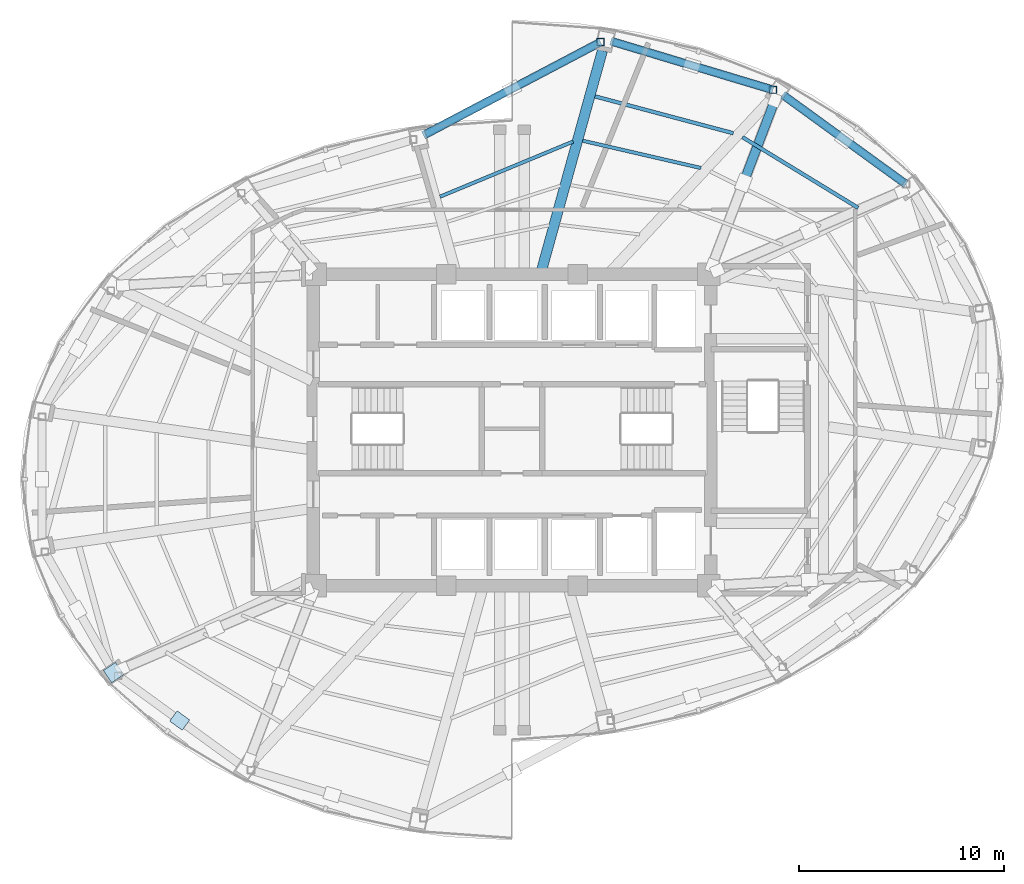
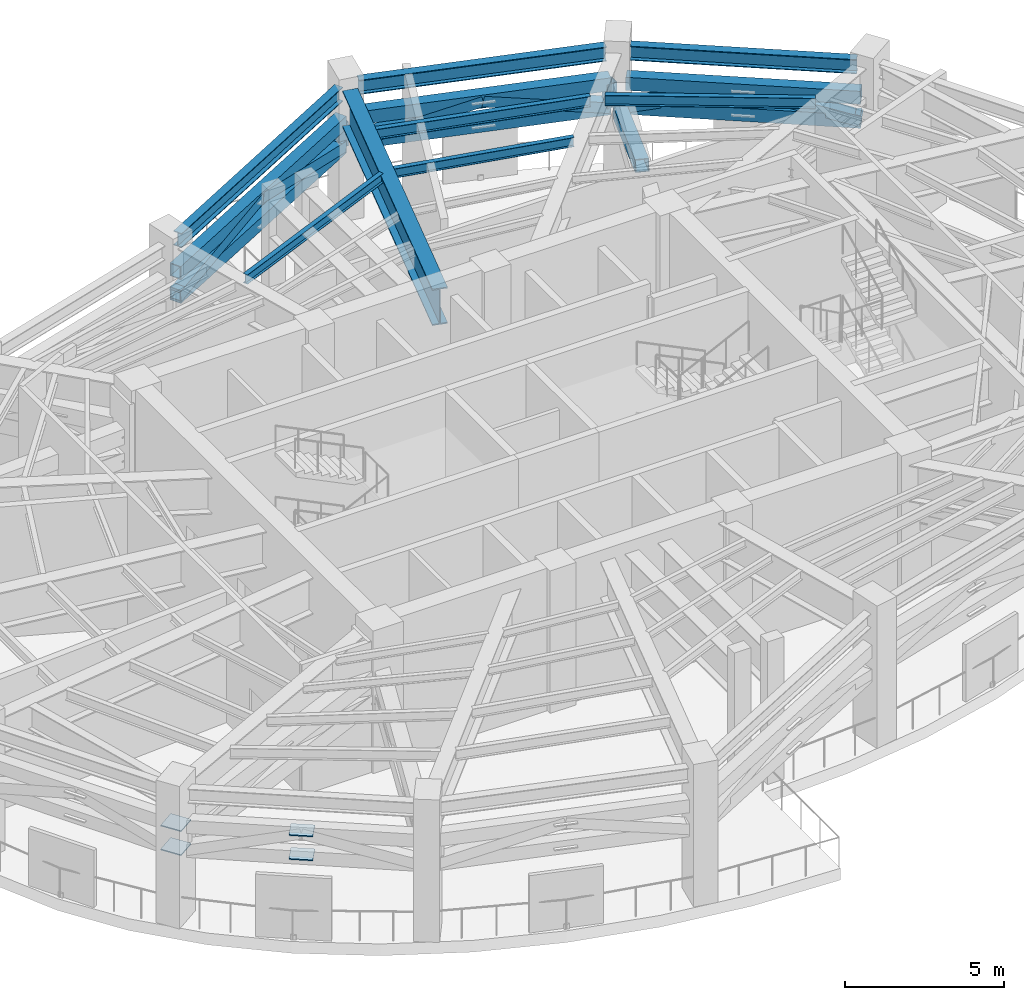
# One storey, part 5 of 12: 15 members, 8 beams, 4 plates.
"""IFC4 building model written with IfcOpenShell, lengths in metres."""

import ifcopenshell
import ifcopenshell.guid

model = None  # the IFC model being written
_history = None  # IfcOwnerHistory: only IFC2X3 demands one
_inside = {}  # id of a spatial element -> (the spatial element, [elements in it])
_under = {}  # id of a project, library or spatial element -> (it, [spatial elements below it])
_declared = {}  # id of a project -> (the project, [libraries it declares])
_typed = {}  # id of a type object -> (the type object, [elements of that type])
_made_of = {}  # id of a material, layer set ... -> (it, [elements and type objects made of it])


def new_model(schema):
    """Start an empty IFC model of exactly this schema.

    Asked for "IFC4X3", IfcOpenShell would pick the latest addendum, in which some entities
    have other attributes; the version numbers below select the first issue.
    IFC2X3 requires an IfcOwnerHistory on every rooted entity: one is made here for all.
    """
    global model, _history
    if schema == "IFC4X3":
        model = ifcopenshell.file(schema_version=(4, 3, 0, 0))
    else:
        model = ifcopenshell.file(schema=schema)
    _inside.clear()
    _under.clear()
    _declared.clear()
    _typed.clear()
    _made_of.clear()
    _history = None
    if model.schema == "IFC2X3":
        org = make("IfcOrganization", Name="unknown")
        user = make(
            "IfcPersonAndOrganization",
            ThePerson=make("IfcPerson", FamilyName="unknown"),
            TheOrganization=org,
        )
        app = make(
            "IfcApplication",
            ApplicationDeveloper=org,
            Version="unknown",
            ApplicationFullName="unknown",
            ApplicationIdentifier="unknown",
        )
        _history = make(
            "IfcOwnerHistory",
            OwningUser=user,
            OwningApplication=app,
            ChangeAction="ADDED",
            CreationDate=0,
        )
    return model


def make(cls, **values):
    """One entity of the class cls with the attributes given. An attribute that is None is left unset."""
    return model.create_entity(
        cls, **{name: value for name, value in values.items() if value is not None}
    )


def rooted(cls, **values):
    """An entity with a GlobalId (a new one), such as an element, a storey or a relation."""
    return make(cls, GlobalId=ifcopenshell.guid.new(), OwnerHistory=_history, **values)


def si_unit(unit_type, name, prefix=None):
    """IfcSIUnit, for example si_unit("LENGTHUNIT", "METRE", prefix="MILLI")."""
    return make("IfcSIUnit", UnitType=unit_type, Prefix=prefix, Name=name)


def assignment(units):
    """IfcUnitAssignment: the units of a project."""
    return None if units is None else make("IfcUnitAssignment", Units=units)


def point(xyz):
    """IfcCartesianPoint."""
    return None if xyz is None else make("IfcCartesianPoint", Coordinates=xyz)


def direction(xyz):
    """IfcDirection."""
    return None if xyz is None else make("IfcDirection", DirectionRatios=xyz)


def frame(location, z_axis=None, x_axis=None):
    """IfcAxis2Placement3D, a coordinate frame: its origin and axes. An axis left out is left unset."""
    return make(
        "IfcAxis2Placement3D",
        Location=point(location),
        Axis=direction(z_axis),
        RefDirection=direction(x_axis),
    )


def frame_2d(location, x_axis=None):
    """IfcAxis2Placement2D, a coordinate frame in the plane: its origin and x axis."""
    return make(
        "IfcAxis2Placement2D", Location=point(location), RefDirection=direction(x_axis)
    )


def origin():
    """The frame at (0, 0, 0) with its axes left unset."""
    return frame((0.0, 0.0, 0.0))


def origin_2d():
    """The frame at (0, 0) in the plane with its x axis left unset."""
    return frame_2d((0.0, 0.0))


def place(relative_to, where):
    """IfcLocalPlacement: puts the frame where relative to a parent placement (None: the world)."""
    return make(
        "IfcLocalPlacement", PlacementRelTo=relative_to, RelativePlacement=where
    )


def context(
    kind, dimensions, precision=None, world=None, true_north=None, identifier=None
):
    """IfcGeometricRepresentationContext, for example the 3D "Model" context."""
    return make(
        "IfcGeometricRepresentationContext",
        ContextIdentifier=identifier,
        ContextType=kind,
        CoordinateSpaceDimension=dimensions,
        Precision=precision,
        WorldCoordinateSystem=world,
        TrueNorth=true_north,
    )


def subcontext(parent, identifier, kind, view, scale=None):
    """IfcGeometricRepresentationSubContext, for example "Body" below "Model"."""
    return make(
        "IfcGeometricRepresentationSubContext",
        ContextIdentifier=identifier,
        ContextType=kind,
        ParentContext=parent,
        TargetScale=scale,
        TargetView=view,
    )


def project(units=None, contexts=None):
    """IfcProject with its units and contexts."""
    return rooted(
        "IfcProject",
        Name="project",
        RepresentationContexts=contexts,
        UnitsInContext=assignment(units),
    )


def spatial(cls, under=None, at=None, **own):
    """A site, building, storey or space (cls), placed at a placement, below another one or the project."""
    s = rooted(cls, ObjectPlacement=at, **own)
    if under is not None:
        _under.setdefault(under.id(), (under, []))[1].append(s)
    return s


def profile(cls, at=None, kind="AREA", **sizes):
    """A parametric profile (cls). Its sizes go by their IFC names, for example OverallWidth=200.0."""
    return make(cls, ProfileType=kind, Position=at, **sizes)


def rectangle(**sizes):
    """IfcRectangleProfileDef."""
    return profile("IfcRectangleProfileDef", **sizes)


def hollow_rectangle(**sizes):
    """IfcRectangleHollowProfileDef."""
    return profile("IfcRectangleHollowProfileDef", **sizes)


def i_section(**sizes):
    """IfcIShapeProfileDef."""
    return profile("IfcIShapeProfileDef", **sizes)


def extrude(swept, where, along, depth):
    """IfcExtrudedAreaSolid: the profile swept, set in the frame where, extruded along a direction by depth."""
    return make(
        "IfcExtrudedAreaSolid",
        SweptArea=swept,
        Position=where,
        ExtrudedDirection=direction(along),
        Depth=depth,
    )


def shape(context_of_items, identifier, shape_type, items):
    """IfcShapeRepresentation: the items that make up one representation, for example the "Body"."""
    return make(
        "IfcShapeRepresentation",
        ContextOfItems=context_of_items,
        RepresentationIdentifier=identifier,
        RepresentationType=shape_type,
        Items=items,
    )


def material(Name=None, Category=None):
    """IfcMaterial."""
    return make("IfcMaterial", Name=Name, Category=Category)


def layer(
    of_material, thickness, ventilated=None, Name=None, Category=None, Priority=None
):
    """IfcMaterialLayer: one layer of a wall or slab, of a material (None: an air gap)."""
    return make(
        "IfcMaterialLayer",
        Material=of_material,
        LayerThickness=thickness,
        IsVentilated=ventilated,
        Name=Name,
        Category=Category,
        Priority=Priority,
    )


def layer_set(layers, Name=None):
    """IfcMaterialLayerSet."""
    return make("IfcMaterialLayerSet", MaterialLayers=layers, LayerSetName=Name)


def material_profile(
    of_material, cross_section, Name=None, Category=None, Priority=None
):
    """IfcMaterialProfile: a cross section and its material."""
    return make(
        "IfcMaterialProfile",
        Name=Name,
        Material=of_material,
        Profile=cross_section,
        Priority=Priority,
        Category=Category,
    )


def profile_set(profiles, Name=None, composite=None):
    """IfcMaterialProfileSet."""
    return make(
        "IfcMaterialProfileSet",
        Name=Name,
        MaterialProfiles=profiles,
        CompositeProfile=composite,
    )


def made_of(thing, what):
    """Note that an element or type object is made of a material, layer set ...; save() writes the relation."""
    if what is not None:
        _made_of.setdefault(what.id(), (what, []))[1].append(thing)
    return thing


def type_object(cls, material=None, **own):
    """A type object (cls), such as IfcWallType, which elements share."""
    return made_of(rooted(cls, **own), material)


def element(
    cls,
    number,
    at=None,
    inside=None,
    cuts=None,
    type_object=None,
    material=None,
    context=None,
    identifier="Body",
    shape_type=None,
    held_by="IfcProductDefinitionShape",
    body=None,
    shapes=None,
    **own,
):
    """One element of the class cls, such as IfcWall. Its Tag is "e" and its number.

    at: its placement. inside: the storey or other place that contains it. cuts: it is an
    opening in that element (IfcRelVoidsElement). A single representation is given by context,
    identifier, shape_type and body (its items); several are given by shapes. held_by: the class
    of the entity that holds the representations. save() writes the other relations.
    """
    e = rooted(cls, Tag="e%d" % number, ObjectPlacement=at, **own)
    if body is not None:
        shapes = [shape(context, identifier, shape_type, body)]
    if shapes is not None:
        e.Representation = make(held_by, Representations=shapes)
    if inside is not None:
        _inside.setdefault(inside.id(), (inside, []))[1].append(e)
    if cuts is not None:
        rooted(
            "IfcRelVoidsElement", RelatingBuildingElement=cuts, RelatedOpeningElement=e
        )
    if type_object is not None:
        _typed.setdefault(type_object.id(), (type_object, []))[1].append(e)
    return made_of(e, material)


def aggregate(whole, parts):
    """IfcRelAggregates: a whole, such as a stair, and the parts it consists of."""
    return rooted("IfcRelAggregates", RelatingObject=whole, RelatedObjects=parts)


def save(model, path):
    """Write the relations noted so far, then the file.

    IfcRelAggregates (storeys below a building ...), IfcRelContainedInSpatialStructure (elements
    in a storey), IfcRelDefinesByType, IfcRelAssociatesMaterial and IfcRelDeclares: one each for
    every whole, place, type object, material and project.
    """
    for whole, parts in _under.values():
        aggregate(whole, parts)
    for where, things in _inside.values():
        rooted(
            "IfcRelContainedInSpatialStructure",
            RelatedElements=things,
            RelatingStructure=where,
        )
    for kind, things in _typed.values():
        rooted("IfcRelDefinesByType", RelatedObjects=things, RelatingType=kind)
    for what, things in _made_of.values():
        rooted("IfcRelAssociatesMaterial", RelatedObjects=things, RelatingMaterial=what)
    for by, libraries in _declared.values():
        rooted("IfcRelDeclares", RelatingContext=by, RelatedDefinitions=libraries)
    model.write(path)


model = new_model("IFC4")

# Units and contexts
model_context = context("Model", 3, precision=1e-05, world=origin(), true_north=direction((0.0, 1.0)))
body_context = subcontext(model_context, "Body", "Model", "MODEL_VIEW")
ifc_project = project(units=[si_unit("LENGTHUNIT", "METRE"), si_unit("AREAUNIT", "SQUARE_METRE"), si_unit("VOLUMEUNIT", "CUBIC_METRE"), si_unit("PLANEANGLEUNIT", "RADIAN"), si_unit("MASSUNIT", "GRAM", prefix="KILO")], contexts=[model_context])

# Site, building, storey
site_placement = place(None, origin())
site = spatial("IfcSite", under=ifc_project, at=site_placement, CompositionType="ELEMENT")
building_placement = place(site_placement, origin())
building = spatial("IfcBuilding", under=site, at=building_placement, Name="Lazwardi Medical Tower", CompositionType="ELEMENT")
storey_placement = place(building_placement, frame((0.0, 0.0, 189.360107421875)))
storey = spatial("IfcBuildingStorey", under=building, at=storey_placement, Name="L49", CompositionType="ELEMENT", Elevation=189.360107421875)

# Beams
ifc_material_1 = material(Name="Steel S355", Category="steel")
ifc_material_profile_1 = material_profile(ifc_material_1, i_section(OverallWidth=0.300048828125, OverallDepth=0.550048828125, WebThickness=0.014892578125, FlangeThickness=0.029052734375, at=origin_2d()), Name="HEB 550")
ifc_profile_set_1 = profile_set([ifc_material_profile_1], Name="Steel S355")
beam_type_1 = type_object("IfcBeamType", Name="BM-RB-Z3", PredefinedType="BEAM", material=ifc_profile_set_1)
beam_1_placement = place(storey_placement, frame((55.11181640625, 40.06591796875, 4.746826171875), z_axis=(-0.809127570774, 0.587633026824, 0.0), x_axis=(-0.587633026824, -0.809127570774, 0.0)))
element("IfcBeam", 1, at=beam_1_placement, inside=storey, type_object=beam_type_1, Name="Ring beam RB-04 B06 L49", PredefinedType="BEAM", context=body_context, shape_type="SweptSolid", body=[
    extrude(i_section(OverallWidth=0.300048828125, OverallDepth=0.550048828125, WebThickness=0.014892578125, FlangeThickness=0.029052734375, at=origin_2d()), origin(), (0.0, 0.0, 1.0), 7.170166015625),
])
beam_2_placement = place(storey_placement, frame((48.603515625, 44.62939453125, 4.746826171875), z_axis=(-0.957616873483, 0.288045002771, 0.0), x_axis=(-0.288045002771, -0.957616873483, 0.0)))
element("IfcBeam", 2, at=beam_2_placement, inside=storey, type_object=beam_type_1, Name="Ring beam RB-04 B07 L49", PredefinedType="BEAM", context=body_context, shape_type="SweptSolid", body=[
    extrude(i_section(OverallWidth=0.300048828125, OverallDepth=0.550048828125, WebThickness=0.014892578125, FlangeThickness=0.029052734375, at=origin_2d()), origin(), (0.0, 0.0, 1.0), 7.99951171875),
])
beam_3_placement = place(storey_placement, frame((40.206298828125, 46.862548828125, 4.746826171875), z_axis=(-0.884926578414, -0.465730556026, 0.0), x_axis=(0.465730556026, -0.884926578414, 0.0)))
element("IfcBeam", 3, at=beam_3_placement, inside=storey, type_object=beam_type_1, Name="Ring beam RB-04 B08 L49", PredefinedType="BEAM", context=body_context, shape_type="SweptSolid", body=[
    extrude(i_section(OverallWidth=0.300048828125, OverallDepth=0.550048828125, WebThickness=0.014892578125, FlangeThickness=0.029052734375, at=origin_2d()), origin(), (0.0, 0.0, 1.0), 9.506591796875),
])
ifc_material_profile_2 = material_profile(ifc_material_1, i_section(OverallWidth=0.179931640625, OverallDepth=0.39990234375, WebThickness=0.008544921875, FlangeThickness=0.013427734375, at=origin_2d()), Name="IPE 400")
ifc_profile_set_2 = profile_set([ifc_material_profile_2], Name="Steel S355")
beam_type_2 = type_object("IfcBeamType", Name="BM-SJ-01", PredefinedType="JOIST", material=ifc_profile_set_2)
beam_4_placement = place(storey_placement, frame((52.885498046875, 38.835205078125, 4.82177734375), z_axis=(-0.853204282471, 0.521576890184, 0.0), x_axis=(-0.521576890184, -0.853204282471, 0.0)))
element("IfcBeam", 4, at=beam_4_placement, inside=storey, type_object=beam_type_2, Name="Secondary joist SJ-01 R1 B06 L49", PredefinedType="JOIST", context=body_context, shape_type="SweptSolid", body=[
    extrude(i_section(OverallWidth=0.179931640625, OverallDepth=0.39990234375, WebThickness=0.008544921875, FlangeThickness=0.013427734375, at=origin_2d()), origin(), (0.0, 0.0, 1.0), 6.615478515625),
])
beam_5_placement = place(storey_placement, frame((46.79541015625, 42.476318359375, 4.82177734375), z_axis=(-0.966302206326, 0.257410267956, 0.0), x_axis=(-0.257410267956, -0.966302206326, 0.0)))
element("IfcBeam", 5, at=beam_5_placement, inside=storey, type_object=beam_type_2, Name="Secondary joist SJ-01 R1 B07 L49", PredefinedType="JOIST", context=body_context, shape_type="SweptSolid", body=[
    extrude(i_section(OverallWidth=0.179931640625, OverallDepth=0.39990234375, WebThickness=0.008544921875, FlangeThickness=0.013427734375, at=origin_2d()), origin(), (0.0, 0.0, 1.0), 6.984375),
])
ifc_material_profile_3 = material_profile(ifc_material_1, i_section(OverallWidth=0.169921875, OverallDepth=0.360107421875, WebThickness=0.008056640625, FlangeThickness=0.0126953125, at=origin_2d()), Name="IPE 360")
ifc_profile_set_3 = profile_set([ifc_material_profile_3], Name="Steel S355")
beam_type_3 = type_object("IfcBeamType", Name="BM-SJ-02", PredefinedType="JOIST", material=ifc_profile_set_3)
beam_6_placement = place(storey_placement, frame((45.220458984375, 40.777587890625, 4.841796875), z_axis=(-0.974375221178, 0.224928718387, 0.0), x_axis=(-0.224928718387, -0.974375221178, 0.0)))
element("IfcBeam", 6, at=beam_6_placement, inside=storey, type_object=beam_type_3, Name="Secondary joist SJ-02 R2 B07 L49", PredefinedType="JOIST", context=body_context, shape_type="SweptSolid", body=[
    extrude(i_section(OverallWidth=0.169921875, OverallDepth=0.360107421875, WebThickness=0.008056640625, FlangeThickness=0.0126953125, at=origin_2d()), origin(), (0.0, 0.0, 1.0), 5.92529296875),
])
beam_7_placement = place(storey_placement, frame((38.98193359375, 42.071533203125, 4.841796875), z_axis=(-0.923795439978, -0.382886386643, 0.0), x_axis=(0.382886386643, -0.923795439978, 0.0)))
element("IfcBeam", 7, at=beam_7_placement, inside=storey, type_object=beam_type_3, Name="Secondary joist SJ-02 R2 B08 L49", PredefinedType="JOIST", context=body_context, shape_type="SweptSolid", body=[
    extrude(i_section(OverallWidth=0.169921875, OverallDepth=0.360107421875, WebThickness=0.008056640625, FlangeThickness=0.0126953125, at=origin_2d()), origin(), (0.0, 0.0, 1.0), 7.03125),
])
ifc_material_2 = material(Name="Steel S460", Category="steel")
ifc_material_profile_4 = material_profile(ifc_material_2, i_section(OverallWidth=0.5, OverallDepth=1.39990234375, WebThickness=0.028076171875, FlangeThickness=0.044921875, at=origin_2d()), Name="PG 1400x500")
ifc_profile_set_4 = profile_set([ifc_material_profile_4], Name="Steel S460")
beam_type_4 = type_object("IfcBeamType", Name="BM-TG-01", PredefinedType="BEAM", material=ifc_profile_set_4)
beam_8_placement = place(storey_placement, frame((40.410888671875, 46.509033203125, 4.32177734375), z_axis=(-0.266813446402, -0.963748195754, 0.0), x_axis=(0.963748195754, -0.266813446402, 0.0)))
element("IfcBeam", 8, at=beam_8_placement, inside=storey, type_object=beam_type_4, Name="Transfer girder TG-01 M08 L49", PredefinedType="BEAM", context=body_context, shape_type="SweptSolid", body=[
    extrude(i_section(OverallWidth=0.5, OverallDepth=1.39990234375, WebThickness=0.028076171875, FlangeThickness=0.044921875, at=origin_2d()), origin(), (0.0, 0.0, 1.0), 11.267578125),
])

# Members
ifc_material_profile_5 = material_profile(ifc_material_2, hollow_rectangle(XDim=0.39990234375, YDim=0.5, WallThickness=0.02490234375, at=origin_2d()), Name="RHS 500x400x25")
ifc_profile_set_5 = profile_set([ifc_material_profile_5], Name="Steel S460")
member_type_1 = type_object("IfcMemberType", Name="MEM-BC-01", PredefinedType="CHORD", material=ifc_profile_set_5)
for number, where, z_axis, x_axis, name in (
    (9, (55.217041015625, 39.989501953125, 2.679931640625), (-0.80914369212, 0.587610828272, 0.0), (-0.587610828272, -0.80914369212, 0.0), "Belt truss bottom chord BC-01 B06 L49"),
    (10, (55.217041015625, 39.989501953125, 3.599853515625), (-0.80914369212, 0.587610828272, 0.0), (-0.587610828272, -0.80914369212, 0.0), "Belt truss top chord BC-01 B06 L49"),
):
    element("IfcMember", number, at=place(storey_placement, frame(where, z_axis=z_axis, x_axis=x_axis)), inside=storey, type_object=member_type_1, Name=name, PredefinedType="CHORD", context=body_context, shape_type="SweptSolid", body=[
        extrude(hollow_rectangle(XDim=0.39990234375, YDim=0.5, WallThickness=0.02490234375, at=origin_2d()), origin(), (0.0, 0.0, 1.0), 7.429931640625),
    ])
for number, where, z_axis, x_axis, name in (
    (11, (48.727783203125, 44.592041015625, 2.679931640625), (-0.957618568335, 0.288039368108, 0.0), (-0.288039368108, -0.957618568335, 0.0), "Belt truss bottom chord BC-01 B07 L49"),
    (12, (48.727783203125, 44.592041015625, 3.599853515625), (-0.957618568335, 0.288039368108, 0.0), (-0.288039368108, -0.957618568335, 0.0), "Belt truss top chord BC-01 B07 L49"),
):
    element("IfcMember", number, at=place(storey_placement, frame(where, z_axis=z_axis, x_axis=x_axis)), inside=storey, type_object=member_type_1, Name=name, PredefinedType="CHORD", context=body_context, shape_type="SweptSolid", body=[
        extrude(hollow_rectangle(XDim=0.39990234375, YDim=0.5, WallThickness=0.02490234375, at=origin_2d()), origin(), (0.0, 0.0, 1.0), 8.259033203125),
    ])
for number, where, z_axis, x_axis, name in (
    (13, (40.3212890625, 46.923095703125, 2.679931640625), (-0.884924187091, -0.465735099709, 0.0), (0.465735099709, -0.884924187091, 0.0), "Belt truss bottom chord BC-01 B08 L49"),
    (14, (40.3212890625, 46.923095703125, 3.599853515625), (-0.884924187091, -0.465735099709, 0.0), (0.465735099709, -0.884924187091, 0.0), "Belt truss top chord BC-01 B08 L49"),
):
    element("IfcMember", number, at=place(storey_placement, frame(where, z_axis=z_axis, x_axis=x_axis)), inside=storey, type_object=member_type_1, Name=name, PredefinedType="CHORD", context=body_context, shape_type="SweptSolid", body=[
        extrude(hollow_rectangle(XDim=0.39990234375, YDim=0.5, WallThickness=0.02490234375, at=origin_2d()), origin(), (0.0, 0.0, 1.0), 9.766357421875),
    ])
ifc_material_profile_6 = material_profile(ifc_material_2, hollow_rectangle(XDim=0.39990234375, YDim=0.39990234375, WallThickness=0.02001953125, at=origin_2d()), Name="RHS 400x400x20")
ifc_profile_set_6 = profile_set([ifc_material_profile_6], Name="Steel S460")
member_type_2 = type_object("IfcMemberType", Name="MEM-BD-01", PredefinedType="BRACE", material=ifc_profile_set_6)
for number, where, z_axis, x_axis, name in (
    (15, (55.217041015625, 39.989501953125, 2.679931640625), (-0.785395561242, 0.570419680688, 0.240364723421), (-0.587647963925, -0.809116722417, 0.0), "Belt truss diagonal BD-01 B06A L49"),
    (16, (49.205078125, 44.35546875, 2.679931640625), (0.785448577902, -0.570348065867, 0.24036142626), (0.587573691921, 0.809170659727, 0.0), "Belt truss diagonal BD-01 B06B L49"),
):
    element("IfcMember", number, at=place(storey_placement, frame(where, z_axis=z_axis, x_axis=x_axis)), inside=storey, type_object=member_type_2, Name=name, PredefinedType="BRACE", context=body_context, shape_type="SweptSolid", body=[
        extrude(hollow_rectangle(XDim=0.39990234375, YDim=0.39990234375, WallThickness=0.02001953125, at=origin_2d()), origin(), (0.0, 0.0, 1.0), 3.8271484375),
    ])
for number, where, z_axis, x_axis, name in (
    (17, (48.727783203125, 44.592041015625, 2.679931640625), (-0.934702782981, 0.281155273117, 0.217445211229), (-0.288047522108, -0.957616115679, 0.0), "Belt truss diagonal BD-01 B07A L49"),
    (18, (40.81884765625, 46.970947265625, 2.679931640625), (0.934710072733, -0.281140108307, 0.217433482779), (0.288031214548, 0.957621020783, 0.0), "Belt truss diagonal BD-01 B07B L49"),
):
    element("IfcMember", number, at=place(storey_placement, frame(where, z_axis=z_axis, x_axis=x_axis)), inside=storey, type_object=member_type_2, Name=name, PredefinedType="BRACE", context=body_context, shape_type="SweptSolid", body=[
        extrude(hollow_rectangle(XDim=0.39990234375, YDim=0.39990234375, WallThickness=0.02001953125, at=origin_2d()), origin(), (0.0, 0.0, 1.0), 4.230712890625),
    ])
member_1_placement = place(storey_placement, frame((40.3212890625, 46.923095703125, 2.679931640625), z_axis=(-0.869618052898, -0.457704055412, 0.185125470244), x_axis=(0.46575467496, -0.884913884371, 0.0)))
element("IfcMember", 19, at=member_1_placement, inside=storey, type_object=member_type_2, Name="Belt truss diagonal BD-01 B08A L49", PredefinedType="BRACE", context=body_context, shape_type="SweptSolid", body=[
    extrude(hollow_rectangle(XDim=0.39990234375, YDim=0.39990234375, WallThickness=0.02001953125, at=origin_2d()), origin(), (0.0, 0.0, 1.0), 4.96923828125),
])
member_2_placement = place(storey_placement, frame((31.6787109375, 42.37451171875, 2.679931640625), z_axis=(0.869637607993, 0.457665215732, 0.185129633159), x_axis=(-0.465715523774, 0.884934489618, 0.0)))
element("IfcMember", 20, at=member_2_placement, inside=storey, type_object=member_type_2, Name="Belt truss diagonal BD-01 B08B L49", PredefinedType="BRACE", context=body_context, shape_type="SweptSolid", body=[
    extrude(hollow_rectangle(XDim=0.39990234375, YDim=0.39990234375, WallThickness=0.02001953125, at=origin_2d()), origin(), (0.0, 0.0, 1.0), 4.968994140625),
])
ifc_material_profile_7 = material_profile(ifc_material_1, hollow_rectangle(XDim=0.35009765625, YDim=0.35009765625, WallThickness=0.01611328125, at=origin_2d()), Name="RHS 350x350x16")
ifc_profile_set_7 = profile_set([ifc_material_profile_7], Name="Steel S355")
member_type_3 = type_object("IfcMemberType", Name="MEM-BV-01", PredefinedType="POST", material=ifc_profile_set_7)
for number, where, z_axis, x_axis, name in (
    (21, (48.727783203125, 44.592041015625, 2.679931640625), (0.0, 0.0, 1.0), (1.0, 0.0, 0.0), "Belt truss post BV-01 B07 L49"),
    (22, (40.3212890625, 46.923095703125, 2.679931640625), (0.0, 0.0, 1.0), (1.0, 0.0, 0.0), "Belt truss post BV-01 B08 L49"),
):
    element("IfcMember", number, at=place(storey_placement, frame(where, z_axis=z_axis, x_axis=x_axis)), inside=storey, type_object=member_type_3, Name=name, PredefinedType="POST", context=body_context, shape_type="SweptSolid", body=[
        extrude(hollow_rectangle(XDim=0.35009765625, YDim=0.35009765625, WallThickness=0.01611328125, at=origin_2d()), origin(), (0.0, 0.0, 1.0), 0.919921875),
    ])
ifc_material_profile_8 = material_profile(ifc_material_2, hollow_rectangle(XDim=0.449951171875, YDim=0.449951171875, WallThickness=0.02197265625, at=origin_2d()), Name="RHS 450x450x22")
ifc_profile_set_8 = profile_set([ifc_material_profile_8], Name="Steel S460")
member_type_4 = type_object("IfcMemberType", Name="MEM-OD-01", PredefinedType="BRACE", material=ifc_profile_set_8)
member_3_placement = place(storey_placement, frame((48.824951171875, 44.0888671875, 2.679931640625), z_axis=(-0.347358180393, -0.914263550942, 0.208481303555), x_axis=(0.934804618159, -0.355162393658, 0.0)))
element("IfcMember", 23, at=member_3_placement, inside=storey, type_object=member_type_4, Name="Outrigger truss diagonal OD-01 OR6B L49", PredefinedType="BRACE", context=body_context, shape_type="SweptSolid", body=[
    extrude(hollow_rectangle(XDim=0.449951171875, YDim=0.449951171875, WallThickness=0.02197265625, at=origin_2d()), origin(), (0.0, 0.0, 1.0), 4.41259765625),
])

# Plates
ifc_layer = layer(ifc_material_2, 0.0400390625)
ifc_layer_set = layer_set([ifc_layer], Name="Steel S460")
plate_type = type_object("IfcPlateType", Name="PLT-GUS-01", PredefinedType="USERDEFINED", material=ifc_layer_set)
for number, where, z_axis, x_axis, name in (
    (24, (16.564453125, 16.169189453125, 2.659912109375), (0.0, 0.0, 1.0), (-0.831469612303, -0.55557023302, 0.0), "Belt truss column gusset plate GP-01 MB14 L49"),
    (25, (16.564453125, 16.169189453125, 3.579833984375), (0.0, 0.0, 1.0), (-0.831469612303, -0.55557023302, 0.0), "Belt truss column gusset plate GP-01 MT14 L49"),
):
    element("IfcPlate", number, at=place(storey_placement, frame(where, z_axis=z_axis, x_axis=x_axis)), inside=storey, type_object=plate_type, Name=name, ObjectType="GUSSET_PLATE", PredefinedType="USERDEFINED", context=body_context, shape_type="SweptSolid", body=[
        extrude(rectangle(XDim=0.719970703125, YDim=0.719970703125, at=origin_2d()), origin(), (0.0, 0.0, 1.0), 0.0400390625),
    ])
for number, where, z_axis, x_axis, name in (
    (26, (19.788818359375, 13.827392578125, 3.579833984375), (0.0, 0.0, 1.0), (0.809119569932, -0.587644043238, 0.0), "Belt truss gusset plate GP-01 T14 L49"),
    (27, (19.788818359375, 13.827392578125, 2.659912109375), (0.0, 0.0, 1.0), (0.809119569932, -0.587644043238, 0.0), "Belt truss gusset plate GP-01 B14 L49"),
):
    element("IfcPlate", number, at=place(storey_placement, frame(where, z_axis=z_axis, x_axis=x_axis)), inside=storey, type_object=plate_type, Name=name, ObjectType="GUSSET_PLATE", PredefinedType="USERDEFINED", context=body_context, shape_type="SweptSolid", body=[
        extrude(rectangle(XDim=0.760009765625, YDim=0.6201171875, at=origin_2d()), origin(), (0.0, 0.0, 1.0), 0.0400390625),
    ])

save(model, "model.ifc")
